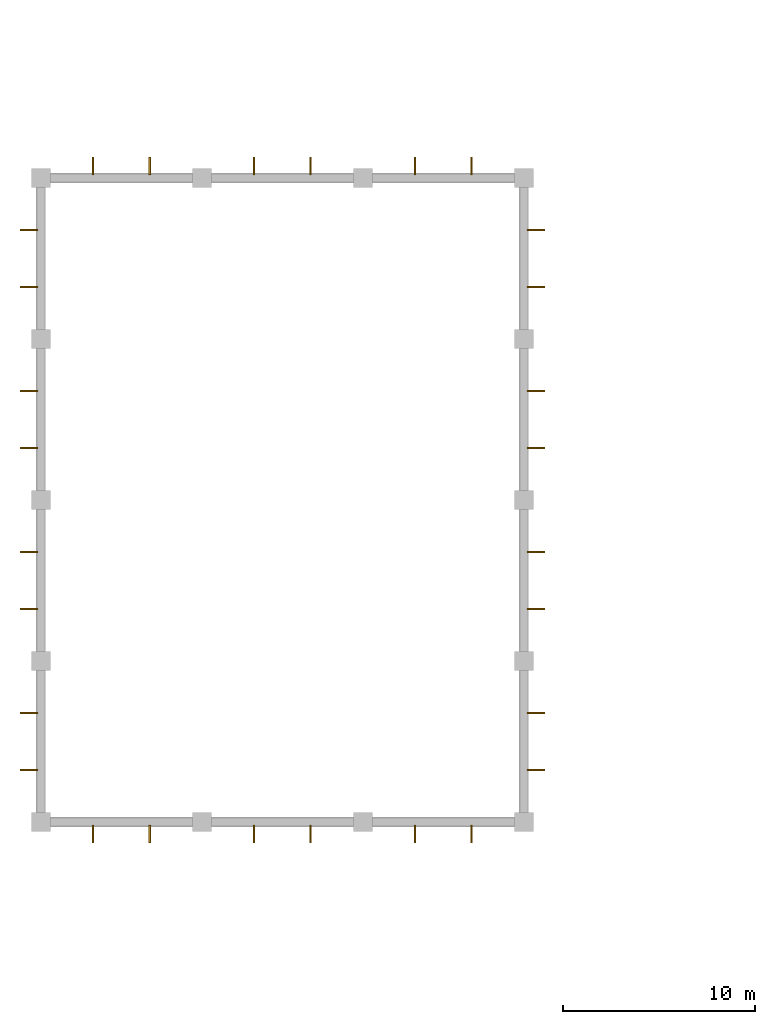
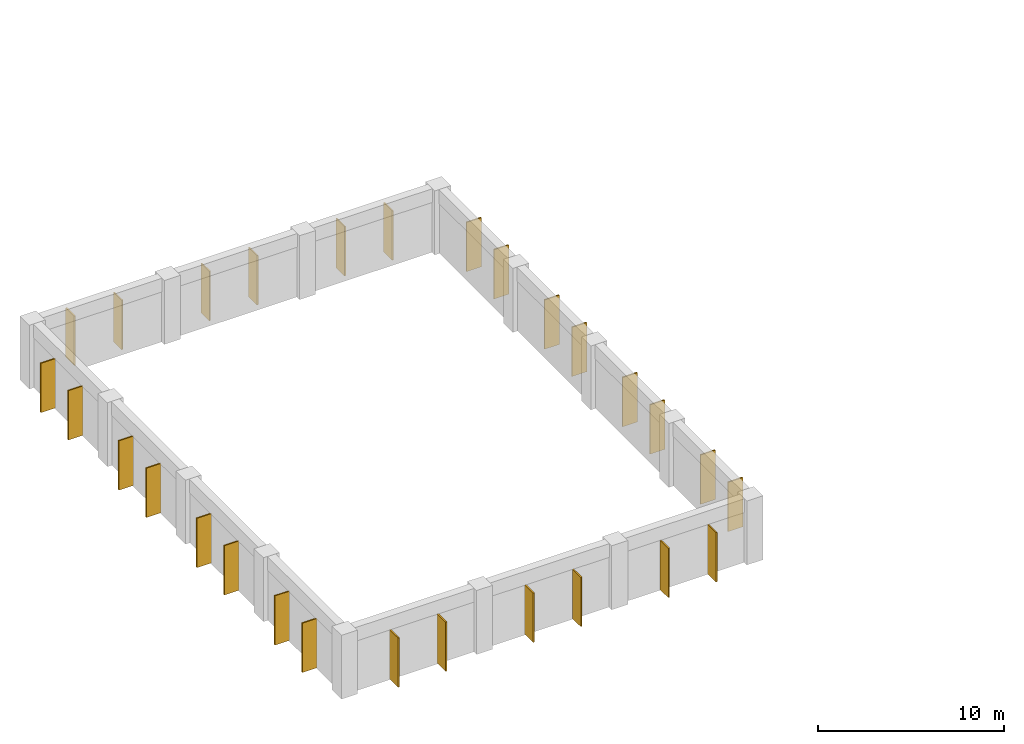
# One storey, part 18 of 19: 28 shading devices.
"""IFC4 building model written with IfcOpenShell, lengths in metres."""

from ifc_helpers import new_model, si_unit, direction, frame, origin, origin_2d, place, context, subcontext, project, spatial, rectangle, extrude, material, type_object, element, save


model = new_model("IFC4")

# Units and contexts
model_context = context("Model", 3, precision=1e-05, world=origin(), true_north=direction((0.0, 1.0)))
body_context = subcontext(model_context, "Body", "Model", "MODEL_VIEW")
ifc_project = project(units=[si_unit("LENGTHUNIT", "METRE"), si_unit("AREAUNIT", "SQUARE_METRE"), si_unit("VOLUMEUNIT", "CUBIC_METRE"), si_unit("PLANEANGLEUNIT", "RADIAN"), si_unit("MASSUNIT", "GRAM", prefix="KILO")], contexts=[model_context])

# Site, building, storey
site_placement = place(None, origin())
site = spatial("IfcSite", under=ifc_project, at=site_placement, CompositionType="ELEMENT")
building_placement = place(site_placement, origin())
building = spatial("IfcBuilding", under=site, at=building_placement, Name="Xuanlan Plaza Opera House", CompositionType="ELEMENT")
storey_placement = place(building_placement, frame((0.0, 0.0, 36.300048828125)))
storey = spatial("IfcBuildingStorey", under=building, at=storey_placement, Name="L08", CompositionType="ELEMENT", Elevation=36.300048828125)

# Shading devices
ifc_material = material(Name="Anodised Aluminium 6063-T6", Category="aluminium")
shading_device_type = type_object("IfcShadingDeviceType", Name="ENV-SHD-BRS02", PredefinedType="JALOUSIE", material=ifc_material)
for number, where, z_axis, x_axis, name in (
    (1, (44.719970703125, 41.3701171875, 0.02978515625), (0.0, 0.0, 1.0), (0.0, -1.0, 0.0), "Fly Tower Acoustic Vertical Rib L08-0545"),
    (2, (47.679931640625, 41.3701171875, 0.02978515625), (0.0, 0.0, 1.0), (0.0, -1.0, 0.0), "Fly Tower Acoustic Vertical Rib L08-0546"),
    (3, (53.1201171875, 41.3701171875, 0.02978515625), (0.0, 0.0, 1.0), (0.0, -1.0, 0.0), "Fly Tower Acoustic Vertical Rib L08-0547"),
    (4, (56.080078125, 41.3701171875, 0.02978515625), (0.0, 0.0, 1.0), (0.0, -1.0, 0.0), "Fly Tower Acoustic Vertical Rib L08-0548"),
    (5, (61.52001953125, 41.3701171875, 0.02978515625), (0.0, 0.0, 1.0), (0.0, -1.0, 0.0), "Fly Tower Acoustic Vertical Rib L08-0549"),
    (6, (64.47998046875, 41.3701171875, 0.02978515625), (0.0, 0.0, 1.0), (0.0, -1.0, 0.0), "Fly Tower Acoustic Vertical Rib L08-0550"),
    (7, (67.830078125, 44.719970703125, 0.02978515625), (0.0, 0.0, 1.0), (1.0, 0.0, 0.0), "Fly Tower Acoustic Vertical Rib L08-0551"),
    (8, (67.830078125, 47.679931640625, 0.02978515625), (0.0, 0.0, 1.0), (1.0, 0.0, 0.0), "Fly Tower Acoustic Vertical Rib L08-0552"),
    (9, (67.830078125, 53.1201171875, 0.02978515625), (0.0, 0.0, 1.0), (1.0, 0.0, 0.0), "Fly Tower Acoustic Vertical Rib L08-0553"),
    (10, (67.830078125, 56.080078125, 0.02978515625), (0.0, 0.0, 1.0), (1.0, 0.0, 0.0), "Fly Tower Acoustic Vertical Rib L08-0554"),
    (11, (67.830078125, 61.52001953125, 0.02978515625), (0.0, 0.0, 1.0), (1.0, 0.0, 0.0), "Fly Tower Acoustic Vertical Rib L08-0555"),
    (12, (67.830078125, 64.47998046875, 0.02978515625), (0.0, 0.0, 1.0), (1.0, 0.0, 0.0), "Fly Tower Acoustic Vertical Rib L08-0556"),
    (13, (67.830078125, 69.919921875, 0.02978515625), (0.0, 0.0, 1.0), (1.0, 0.0, 0.0), "Fly Tower Acoustic Vertical Rib L08-0557"),
    (14, (67.830078125, 72.8798828125, 0.02978515625), (0.0, 0.0, 1.0), (1.0, 0.0, 0.0), "Fly Tower Acoustic Vertical Rib L08-0558"),
    (15, (64.47998046875, 76.22998046875, 0.02978515625), (0.0, 0.0, 1.0), (0.0, 1.0, 0.0), "Fly Tower Acoustic Vertical Rib L08-0559"),
    (16, (61.52001953125, 76.22998046875, 0.02978515625), (0.0, 0.0, 1.0), (0.0, 1.0, 0.0), "Fly Tower Acoustic Vertical Rib L08-0560"),
    (17, (56.080078125, 76.22998046875, 0.02978515625), (0.0, 0.0, 1.0), (0.0, 1.0, 0.0), "Fly Tower Acoustic Vertical Rib L08-0561"),
    (18, (53.1201171875, 76.22998046875, 0.02978515625), (0.0, 0.0, 1.0), (0.0, 1.0, 0.0), "Fly Tower Acoustic Vertical Rib L08-0562"),
    (19, (47.679931640625, 76.22998046875, 0.02978515625), (0.0, 0.0, 1.0), (0.0, 1.0, 0.0), "Fly Tower Acoustic Vertical Rib L08-0563"),
    (20, (44.719970703125, 76.22998046875, 0.02978515625), (0.0, 0.0, 1.0), (0.0, 1.0, 0.0), "Fly Tower Acoustic Vertical Rib L08-0564"),
    (21, (41.3701171875, 72.8798828125, 0.02978515625), (0.0, 0.0, 1.0), (-1.0, 0.0, 0.0), "Fly Tower Acoustic Vertical Rib L08-0565"),
    (22, (41.3701171875, 69.919921875, 0.02978515625), (0.0, 0.0, 1.0), (-1.0, 0.0, 0.0), "Fly Tower Acoustic Vertical Rib L08-0566"),
    (23, (41.3701171875, 64.47998046875, 0.02978515625), (0.0, 0.0, 1.0), (-1.0, 0.0, 0.0), "Fly Tower Acoustic Vertical Rib L08-0567"),
    (24, (41.3701171875, 61.52001953125, 0.02978515625), (0.0, 0.0, 1.0), (-1.0, 0.0, 0.0), "Fly Tower Acoustic Vertical Rib L08-0568"),
    (25, (41.3701171875, 56.080078125, 0.02978515625), (0.0, 0.0, 1.0), (-1.0, 0.0, 0.0), "Fly Tower Acoustic Vertical Rib L08-0569"),
    (26, (41.3701171875, 53.1201171875, 0.02978515625), (0.0, 0.0, 1.0), (-1.0, 0.0, 0.0), "Fly Tower Acoustic Vertical Rib L08-0570"),
    (27, (41.3701171875, 47.679931640625, 0.02978515625), (0.0, 0.0, 1.0), (-1.0, 0.0, 0.0), "Fly Tower Acoustic Vertical Rib L08-0571"),
    (28, (41.3701171875, 44.719970703125, 0.02978515625), (0.0, 0.0, 1.0), (-1.0, 0.0, 0.0), "Fly Tower Acoustic Vertical Rib L08-0572"),
):
    element("IfcShadingDevice", number, at=place(storey_placement, frame(where, z_axis=z_axis, x_axis=x_axis)), inside=storey, type_object=shading_device_type, Name=name, PredefinedType="JALOUSIE", context=body_context, shape_type="SweptSolid", body=[
        extrude(rectangle(XDim=0.919921875, YDim=0.080078125, at=origin_2d()), origin(), (0.0, 0.0, 1.0), 3.239990234375),
    ])

save(model, "model.ifc")
